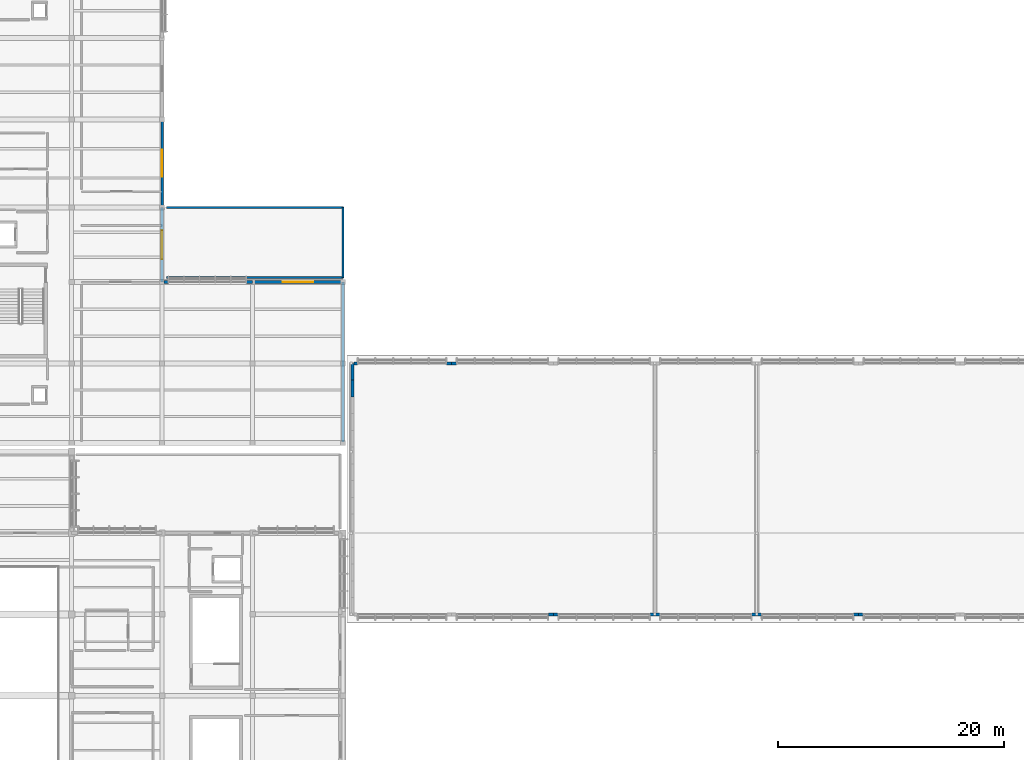
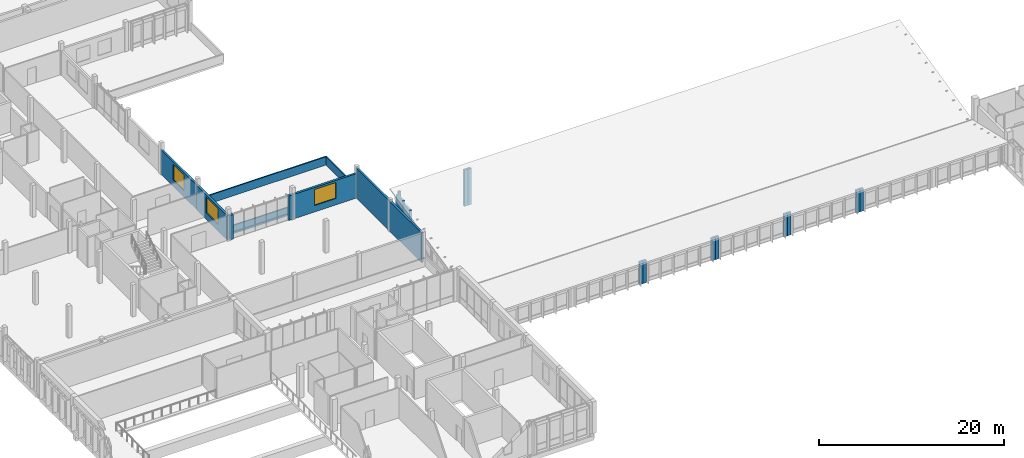
# One storey, part 163 of 182: 22 walls, 3 windows, 3 openings.
"""IFC4 building model written with IfcOpenShell, lengths in metres."""

from ifc_helpers import new_model, si_unit, direction, frame, frame_2d, origin, place, context, subcontext, project, spatial, rectangle, extrude, material, layer, layer_set, type_object, element, fill, save


model = new_model("IFC4")

# Units and contexts
model_context = context("Model", 3, precision=1e-05, world=origin(), true_north=direction((0.0, 1.0)))
body_context = subcontext(model_context, "Body", "Model", "MODEL_VIEW")
ifc_project = project(units=[si_unit("LENGTHUNIT", "METRE"), si_unit("AREAUNIT", "SQUARE_METRE"), si_unit("VOLUMEUNIT", "CUBIC_METRE"), si_unit("PLANEANGLEUNIT", "RADIAN"), si_unit("MASSUNIT", "GRAM", prefix="KILO")], contexts=[model_context])

# Site, building, storey
site_placement = place(None, origin())
site = spatial("IfcSite", under=ifc_project, at=site_placement, CompositionType="ELEMENT")
building_placement = place(site_placement, origin())
building = spatial("IfcBuilding", under=site, at=building_placement, Name="Chiffa Square Polytechnic", CompositionType="ELEMENT")
storey_placement = place(building_placement, frame((0.0, 0.0, 9.60009765625)))
storey = spatial("IfcBuildingStorey", under=building, at=storey_placement, Name="L02", CompositionType="ELEMENT", Elevation=9.60009765625)

# Wall, opening, window
ifc_material_1 = material(Name="Precast concrete C40/50", Category="concrete")
ifc_layer_1 = layer(ifc_material_1, 0.239990234375, Name="Precast concrete C40/50")
ifc_layer_set_1 = layer_set([ifc_layer_1], Name="Precast concrete C40/50")
wall_type_1 = type_object("IfcWallType", Name="WL-EXT-PC240", PredefinedType="SOLIDWALL", material=ifc_layer_set_1)
wall_1_placement = place(storey_placement, frame((32.0, 57.60009765625, 0.0), z_axis=(0.0, 0.0, 1.0), x_axis=(0.0, 1.0, 0.0)))
wall_1 = element("IfcWall", 1, at=wall_1_placement, inside=storey, type_object=wall_type_1, Name="Exterior wall WE-V6-L02-0433", PredefinedType="SOLIDWALL", context=body_context, shape_type="SweptSolid", body=[
    extrude(rectangle(XDim=7.7998046875, YDim=0.239990234375, at=frame_2d((3.89990234375, 0.0))), origin(), (0.0, 0.0, 1.0), 3.224853515625),
])
opening_1_placement = place(wall_1_placement, frame((2.699951171875, 0.0, 0.85009765625)))
opening_1 = element("IfcOpeningElement", 2, at=opening_1_placement, cuts=wall_1, Name="Opening W-10", PredefinedType="OPENING", context=body_context, shape_type="SweptSolid", body=[
    extrude(rectangle(XDim=2.39990234375, YDim=2.050048828125, at=frame_2d((1.199951171875, 1.02490234375))), frame((0.0, 0.1298828125, 0.0), z_axis=(0.0, -1.0, 0.0), x_axis=(1.0, 0.0, 0.0)), (0.0, 0.0, 1.0), 0.260009765625),
])
ifc_material_2 = material(Name="Double glazing in thermally broken aluminium frame", Category="aluminium")
window_type_1 = type_object("IfcWindowType", Name="WIN-STD-2400X2050", PartitioningType="DOUBLE_PANEL_VERTICAL", PredefinedType="WINDOW", material=ifc_material_2)
window_1_placement = place(opening_1_placement, origin())
window_1 = element("IfcWindow", 3, at=window_1_placement, inside=storey, type_object=window_type_1, Name="Facade window WN-L02-0289", OverallHeight=2.050048828125, OverallWidth=2.39990234375, PartitioningType="DOUBLE_PANEL_VERTICAL", PredefinedType="WINDOW", context=body_context, shape_type="SweptSolid", body=[
    extrude(rectangle(XDim=2.39990234375, YDim=2.050048828125, at=frame_2d((1.199951171875, 1.02490234375))), frame((0.0, 0.030029296875, 0.0), z_axis=(0.0, -1.0, 0.0), x_axis=(1.0, 0.0, 0.0)), (0.0, 0.0, 1.0), 0.06005859375),
])
fill(opening_1, window_1)

ifc_layer_2 = layer(ifc_material_1, 0.260009765625, Name="Precast concrete C40/50")
ifc_layer_set_2 = layer_set([ifc_layer_2], Name="Precast concrete C40/50")
wall_type_2 = type_object("IfcWallType", Name="WL-EXT-PC260", PredefinedType="SOLIDWALL", material=ifc_layer_set_2)
wall_2_placement = place(storey_placement, frame((48.0, 51.0, 0.0), z_axis=(0.0, 0.0, 1.0), x_axis=(-1.0, 0.0, 0.0)))
wall_2 = element("IfcWall", 4, at=wall_2_placement, inside=storey, type_object=wall_type_2, Name="Exterior wall WE-V6-L02-0430", PredefinedType="SOLIDWALL", context=body_context, shape_type="SweptSolid", body=[
    extrude(rectangle(XDim=8.0, YDim=0.260009765625, at=frame_2d((4.0, 0.0))), origin(), (0.0, 0.0, 1.0), 3.224853515625),
])
opening_2_placement = place(wall_2_placement, frame((2.64990234375, 0.0, 0.85009765625)))
opening_2 = element("IfcOpeningElement", 5, at=opening_2_placement, cuts=wall_2, Name="Opening W-08", PredefinedType="OPENING", context=body_context, shape_type="SweptSolid", body=[
    extrude(rectangle(XDim=2.699951171875, YDim=2.10009765625, at=frame_2d((1.35009765625, 1.050048828125))), frame((0.0, 0.14013671875, 0.0), z_axis=(0.0, -1.0, 0.0), x_axis=(1.0, 0.0, 0.0)), (0.0, 0.0, 1.0), 0.280029296875),
])
window_type_2 = type_object("IfcWindowType", Name="WIN-STD-2700X2100", PartitioningType="DOUBLE_PANEL_VERTICAL", PredefinedType="WINDOW", material=ifc_material_2)
window_2_placement = place(opening_2_placement, origin())
window_2 = element("IfcWindow", 6, at=window_2_placement, inside=storey, type_object=window_type_2, Name="Facade window WN-L02-0287", OverallHeight=2.10009765625, OverallWidth=2.699951171875, PartitioningType="DOUBLE_PANEL_VERTICAL", PredefinedType="WINDOW", context=body_context, shape_type="SweptSolid", body=[
    extrude(rectangle(XDim=2.699951171875, YDim=2.10009765625, at=frame_2d((1.35009765625, 1.050048828125))), frame((0.0, 0.030029296875, 0.0), z_axis=(0.0, -1.0, 0.0), x_axis=(1.0, 0.0, 0.0)), (0.0, 0.0, 1.0), 0.06005859375),
])
fill(opening_2, window_2)

# Walls
wall_3_placement = place(storey_placement, frame((48.98193359375, 43.800048828125, 0.0), z_axis=(0.0, 0.0, 1.0), x_axis=(1.0, 0.0, 0.0)))
element("IfcWall", 7, at=wall_3_placement, inside=storey, type_object=wall_type_2, Name="Refectory north clerestory pier WE-V4-CLRN-P1L", PredefinedType="SOLIDWALL", context=body_context, shape_type="SweptSolid", body=[
    extrude(rectangle(XDim=0.30810546875, YDim=0.260009765625, at=frame_2d((0.154052734375, 0.0))), origin(), (0.0, 0.0, 1.0), 4.782958984375),
])
wall_4_placement = place(storey_placement, frame((57.159912109375, 43.800048828125, 0.0), z_axis=(0.0, 0.0, 1.0), x_axis=(1.0, 0.0, 0.0)))
element("IfcWall", 8, at=wall_4_placement, inside=storey, type_object=wall_type_2, Name="Refectory north clerestory pier WE-V4-CLRN-P1R", PredefinedType="SOLIDWALL", context=body_context, shape_type="SweptSolid", body=[
    extrude(rectangle(XDim=0.440185546875, YDim=0.260009765625, at=frame_2d((0.22021484375, 0.0))), origin(), (0.0, 0.0, 1.0), 4.782958984375),
])
wall_5_placement = place(storey_placement, frame((66.159912109375, 21.60009765625, 0.0), z_axis=(0.0, 0.0, 1.0), x_axis=(1.0, 0.0, 0.0)))
element("IfcWall", 9, at=wall_5_placement, inside=storey, type_object=wall_type_2, Name="Refectory south clerestory pier WE-V4-CLRS-P2R", PredefinedType="SOLIDWALL", context=body_context, shape_type="SweptSolid", body=[
    extrude(rectangle(XDim=0.440185546875, YDim=0.260009765625, at=frame_2d((0.22021484375, 0.0))), origin(), (0.0, 0.0, 1.0), 2.98193359375),
])
wall_6_placement = place(storey_placement, frame((57.60009765625, 43.800048828125, 0.0), z_axis=(0.0, 0.0, 1.0), x_axis=(1.0, 0.0, 0.0)))
element("IfcWall", 10, at=wall_6_placement, inside=storey, type_object=wall_type_2, Name="Refectory north clerestory pier WE-V4-CLRN-P2L", PredefinedType="SOLIDWALL", context=body_context, shape_type="SweptSolid", body=[
    extrude(rectangle(XDim=0.43994140625, YDim=0.260009765625, at=frame_2d((0.219970703125, 0.0))), origin(), (0.0, 0.0, 1.0), 4.782958984375),
])
wall_7_placement = place(storey_placement, frame((66.60009765625, 21.60009765625, 0.0), z_axis=(0.0, 0.0, 1.0), x_axis=(1.0, 0.0, 0.0)))
element("IfcWall", 11, at=wall_7_placement, inside=storey, type_object=wall_type_2, Name="Refectory south clerestory pier WE-V4-CLRS-P3L", PredefinedType="SOLIDWALL", context=body_context, shape_type="SweptSolid", body=[
    extrude(rectangle(XDim=0.43994140625, YDim=0.260009765625, at=frame_2d((0.219970703125, 0.0))), origin(), (0.0, 0.0, 1.0), 2.98193359375),
])
wall_8_placement = place(storey_placement, frame((75.159912109375, 21.60009765625, 0.0), z_axis=(0.0, 0.0, 1.0), x_axis=(1.0, 0.0, 0.0)))
element("IfcWall", 12, at=wall_8_placement, inside=storey, type_object=wall_type_2, Name="Refectory south clerestory pier WE-V4-CLRS-P3R", PredefinedType="SOLIDWALL", context=body_context, shape_type="SweptSolid", body=[
    extrude(rectangle(XDim=0.440185546875, YDim=0.260009765625, at=frame_2d((0.22021484375, 0.0))), origin(), (0.0, 0.0, 1.0), 2.98193359375),
])
wall_9_placement = place(storey_placement, frame((75.60009765625, 21.60009765625, 0.0), z_axis=(0.0, 0.0, 1.0), x_axis=(1.0, 0.0, 0.0)))
element("IfcWall", 13, at=wall_9_placement, inside=storey, type_object=wall_type_2, Name="Refectory south clerestory pier WE-V4-CLRS-P4L", PredefinedType="SOLIDWALL", context=body_context, shape_type="SweptSolid", body=[
    extrude(rectangle(XDim=0.43994140625, YDim=0.260009765625, at=frame_2d((0.219970703125, 0.0))), origin(), (0.0, 0.0, 1.0), 2.98193359375),
])
wall_10_placement = place(storey_placement, frame((84.159912109375, 21.60009765625, 0.0), z_axis=(0.0, 0.0, 1.0), x_axis=(1.0, 0.0, 0.0)))
element("IfcWall", 14, at=wall_10_placement, inside=storey, type_object=wall_type_2, Name="Refectory south clerestory pier WE-V4-CLRS-P4R", PredefinedType="SOLIDWALL", context=body_context, shape_type="SweptSolid", body=[
    extrude(rectangle(XDim=0.440185546875, YDim=0.260009765625, at=frame_2d((0.22021484375, 0.0))), origin(), (0.0, 0.0, 1.0), 2.98193359375),
])
wall_11_placement = place(storey_placement, frame((84.60009765625, 21.60009765625, 0.0), z_axis=(0.0, 0.0, 1.0), x_axis=(1.0, 0.0, 0.0)))
element("IfcWall", 15, at=wall_11_placement, inside=storey, type_object=wall_type_2, Name="Refectory south clerestory pier WE-V4-CLRS-P5L", PredefinedType="SOLIDWALL", context=body_context, shape_type="SweptSolid", body=[
    extrude(rectangle(XDim=0.43994140625, YDim=0.260009765625, at=frame_2d((0.219970703125, 0.0))), origin(), (0.0, 0.0, 1.0), 2.98193359375),
])
wall_12_placement = place(storey_placement, frame((93.159912109375, 21.60009765625, 0.0), z_axis=(0.0, 0.0, 1.0), x_axis=(1.0, 0.0, 0.0)))
element("IfcWall", 16, at=wall_12_placement, inside=storey, type_object=wall_type_2, Name="Refectory south clerestory pier WE-V4-CLRS-P5R", PredefinedType="SOLIDWALL", context=body_context, shape_type="SweptSolid", body=[
    extrude(rectangle(XDim=0.440185546875, YDim=0.260009765625, at=frame_2d((0.22021484375, 0.0))), origin(), (0.0, 0.0, 1.0), 2.98193359375),
])
wall_13_placement = place(storey_placement, frame((93.60009765625, 21.60009765625, 0.0), z_axis=(0.0, 0.0, 1.0), x_axis=(1.0, 0.0, 0.0)))
element("IfcWall", 17, at=wall_13_placement, inside=storey, type_object=wall_type_2, Name="Refectory south clerestory pier WE-V4-CLRS-P6L", PredefinedType="SOLIDWALL", context=body_context, shape_type="SweptSolid", body=[
    extrude(rectangle(XDim=0.43994140625, YDim=0.260009765625, at=frame_2d((0.219970703125, 0.0))), origin(), (0.0, 0.0, 1.0), 2.98193359375),
])
wall_14_placement = place(storey_placement, frame((48.85009765625, 40.840087890625, 0.0), z_axis=(0.0, 0.0, 1.0), x_axis=(0.0, 1.0, 0.0)))
element("IfcWall", 18, at=wall_14_placement, inside=storey, type_object=wall_type_2, Name="Stepped gable infill wall WE-V4-GBL-W-14", PredefinedType="SOLIDWALL", context=body_context, shape_type="SweptSolid", body=[
    extrude(rectangle(XDim=1.47998046875, YDim=0.260009765625, at=frame_2d((0.739990234375, 0.0))), origin(), (0.0, 0.0, 1.0), 4.15087890625),
])
wall_15_placement = place(storey_placement, frame((48.85009765625, 42.320068359375, 0.0), z_axis=(0.0, 0.0, 1.0), x_axis=(0.0, 1.0, 0.0)))
element("IfcWall", 19, at=wall_15_placement, inside=storey, type_object=wall_type_2, Name="Stepped gable infill wall WE-V4-GBL-W-15", PredefinedType="SOLIDWALL", context=body_context, shape_type="SweptSolid", body=[
    extrude(rectangle(XDim=1.47998046875, YDim=0.260009765625, at=frame_2d((0.739990234375, 0.0))), origin(), (0.0, 0.0, 1.0), 4.492919921875),
])
ifc_layer_3 = layer(ifc_material_1, 0.280029296875, Name="Precast concrete C40/50")
ifc_layer_set_3 = layer_set([ifc_layer_3], Name="Precast concrete C40/50")
wall_type_3 = type_object("IfcWallType", Name="WL-EXT-PC280", PredefinedType="SOLIDWALL", material=ifc_layer_set_3)
wall_16_placement = place(storey_placement, frame((40.0, 51.0, 0.0), z_axis=(0.0, 0.0, 1.0), x_axis=(-1.0, 0.0, 0.0)))
element("IfcWall", 20, at=wall_16_placement, inside=storey, type_object=wall_type_3, Name="Facade column pier V6-L02-0431L", PredefinedType="SOLIDWALL", context=body_context, shape_type="SweptSolid", body=[
    extrude(rectangle(XDim=0.5400390625, YDim=0.280029296875, at=frame_2d((0.27001953125, 0.0))), origin(), (0.0, 0.0, 1.0), 3.224853515625),
])
wall_17_placement = place(storey_placement, frame((32.5400390625, 51.0, 0.0), z_axis=(0.0, 0.0, 1.0), x_axis=(-1.0, 0.0, 0.0)))
element("IfcWall", 21, at=wall_17_placement, inside=storey, type_object=wall_type_3, Name="Facade column pier V6-L02-0431R", PredefinedType="SOLIDWALL", context=body_context, shape_type="SweptSolid", body=[
    extrude(rectangle(XDim=0.39794921875, YDim=0.280029296875, at=frame_2d((0.198974609375, 0.0))), origin(), (0.0, 0.0, 1.0), 3.224853515625),
])

# Wall, opening, window
wall_18_placement = place(storey_placement, frame((32.0, 51.0, 0.0), z_axis=(0.0, 0.0, 1.0), x_axis=(0.0, 1.0, 0.0)))
wall_18 = element("IfcWall", 22, at=wall_18_placement, inside=storey, type_object=wall_type_3, Name="Exterior wall WE-V6-L02-0432", PredefinedType="SOLIDWALL", context=body_context, shape_type="SweptSolid", body=[
    extrude(rectangle(XDim=6.60009765625, YDim=0.280029296875, at=frame_2d((3.300048828125, 0.0))), origin(), (0.0, 0.0, 1.0), 3.224853515625),
])
opening_3_placement = place(wall_18_placement, frame((2.02490234375, 0.0, 0.85009765625)))
opening_3 = element("IfcOpeningElement", 23, at=opening_3_placement, cuts=wall_18, Name="Opening W-09", PredefinedType="OPENING", context=body_context, shape_type="SweptSolid", body=[
    extrude(rectangle(XDim=2.550048828125, YDim=2.10009765625, at=frame_2d((1.27490234375, 1.050048828125))), frame((0.0, 0.14990234375, 0.0), z_axis=(0.0, -1.0, 0.0), x_axis=(1.0, 0.0, 0.0)), (0.0, 0.0, 1.0), 0.300048828125),
])
window_type_3 = type_object("IfcWindowType", Name="WIN-STD-2550X2100", PartitioningType="DOUBLE_PANEL_VERTICAL", PredefinedType="WINDOW", material=ifc_material_2)
window_3_placement = place(opening_3_placement, origin())
window_3 = element("IfcWindow", 24, at=window_3_placement, inside=storey, type_object=window_type_3, Name="Facade window WN-L02-0288", OverallHeight=2.10009765625, OverallWidth=2.550048828125, PartitioningType="DOUBLE_PANEL_VERTICAL", PredefinedType="WINDOW", context=body_context, shape_type="SweptSolid", body=[
    extrude(rectangle(XDim=2.550048828125, YDim=2.10009765625, at=frame_2d((1.27490234375, 1.050048828125))), frame((0.0, 0.030029296875, 0.0), z_axis=(0.0, -1.0, 0.0), x_axis=(1.0, 0.0, 0.0)), (0.0, 0.0, 1.0), 0.06005859375),
])
fill(opening_3, window_3)

# Walls
ifc_layer_4 = layer(ifc_material_1, 0.159912109375, Name="Precast concrete C40/50")
ifc_layer_set_4 = layer_set([ifc_layer_4], Name="Precast concrete C40/50")
wall_type_4 = type_object("IfcWallType", Name="WL-PAR-160", PredefinedType="PARAPET", material=ifc_layer_set_4)
wall_19_placement = place(storey_placement, frame((32.39990234375, 51.39990234375, 0.2998046875), z_axis=(0.0, 0.0, 1.0), x_axis=(1.0, 0.0, 0.0)))
element("IfcWall", 25, at=wall_19_placement, inside=storey, type_object=wall_type_4, Name="Roof parapet PRP-V6-L02A-1", PredefinedType="PARAPET", context=body_context, shape_type="SweptSolid", body=[
    extrude(rectangle(XDim=15.60009765625, YDim=0.159912109375, at=frame_2d((7.800048828125, 0.0))), origin(), (0.0, 0.0, 1.0), 1.10009765625),
])
wall_20_placement = place(storey_placement, frame((48.0, 51.39990234375, 0.2998046875), z_axis=(0.0, 0.0, 1.0), x_axis=(0.0, 1.0, 0.0)))
element("IfcWall", 26, at=wall_20_placement, inside=storey, type_object=wall_type_4, Name="Roof parapet PRP-V6-L02A-2", PredefinedType="PARAPET", context=body_context, shape_type="SweptSolid", body=[
    extrude(rectangle(XDim=6.2001953125, YDim=0.159912109375, at=frame_2d((3.10009765625, 0.0))), origin(), (0.0, 0.0, 1.0), 1.10009765625),
])
wall_21_placement = place(storey_placement, frame((48.0, 57.60009765625, 0.2998046875), z_axis=(0.0, 0.0, 1.0), x_axis=(-1.0, 0.0, 0.0)))
element("IfcWall", 27, at=wall_21_placement, inside=storey, type_object=wall_type_4, Name="Roof parapet PRP-V6-L02A-3", PredefinedType="PARAPET", context=body_context, shape_type="SweptSolid", body=[
    extrude(rectangle(XDim=15.60009765625, YDim=0.159912109375, at=frame_2d((7.800048828125, 0.0))), origin(), (0.0, 0.0, 1.0), 1.10009765625),
])
ifc_material_3 = material(Name="Concrete C35/45", Category="concrete")
ifc_layer_5 = layer(ifc_material_3, 0.25, Name="Concrete C35/45")
ifc_layer_set_5 = layer_set([ifc_layer_5], Name="Concrete C35/45")
wall_type_5 = type_object("IfcWallType", Name="WL-SJ-250", PredefinedType="SHEAR", material=ifc_layer_set_5)
wall_22_placement = place(storey_placement, frame((48.0, 36.85009765625, 0.0), z_axis=(0.0, 0.0, 1.0), x_axis=(0.0, 1.0, 0.0)))
element("IfcWall", 28, at=wall_22_placement, inside=storey, type_object=wall_type_5, Name="Seismic-joint fire wall WE-V6-L02-0429", PredefinedType="SHEAR", context=body_context, shape_type="SweptSolid", body=[
    extrude(rectangle(XDim=14.14990234375, YDim=0.25, at=frame_2d((7.074951171875, 0.0))), origin(), (0.0, 0.0, 1.0), 3.93994140625),
])

save(model, "model.ifc")
